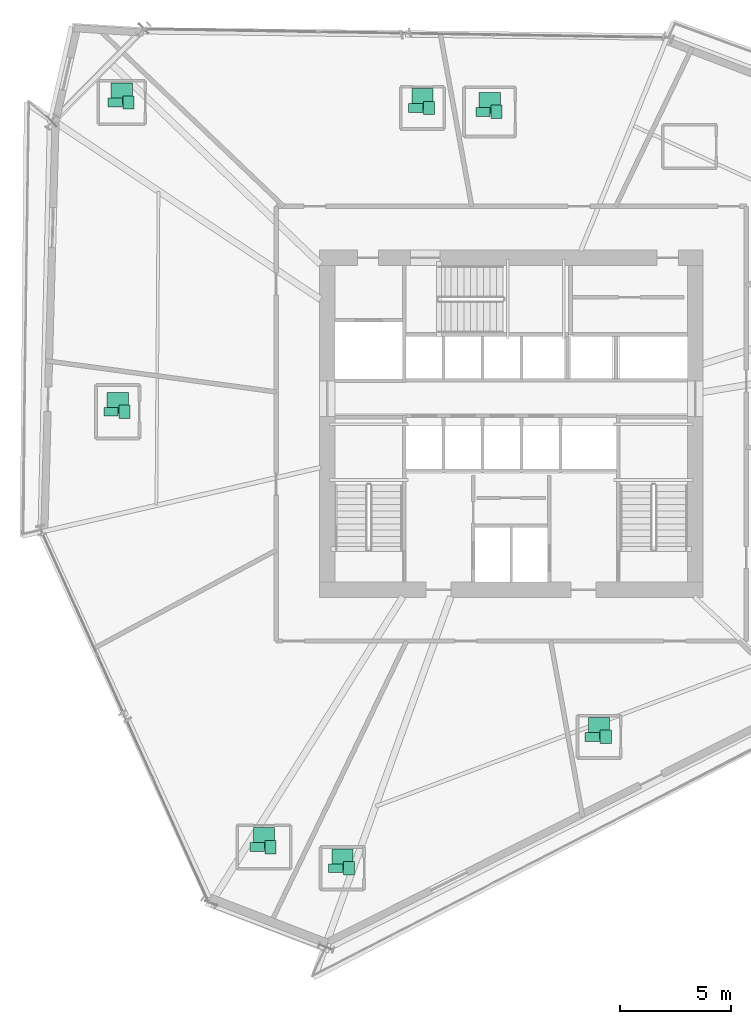
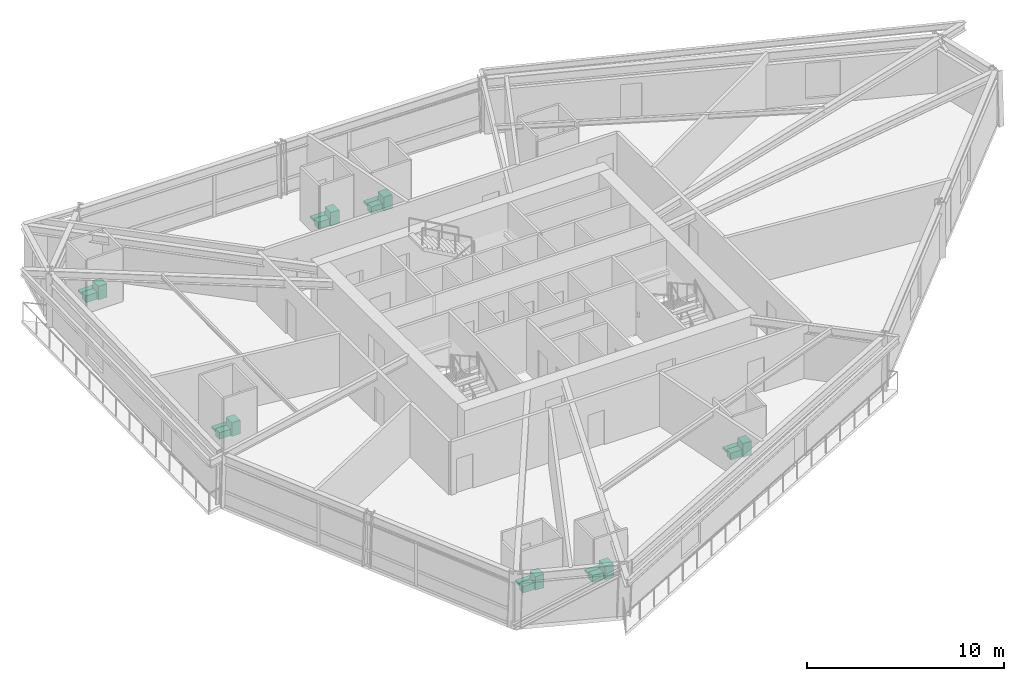
# One storey, part 22 of 22: 21 sanitary terminals.
"""IFC4 building model written with IfcOpenShell, lengths in metres."""

from ifc_helpers import new_model, si_unit, direction, frame, origin, origin_2d, place, context, subcontext, project, spatial, rectangle, extrude, source, transform, mapped, material, type_object, element, save


model = new_model("IFC4")

# Units and contexts
model_context = context("Model", 3, precision=1e-05, world=origin(), true_north=direction((0.0, 1.0)))
body_context = subcontext(model_context, "Body", "Model", "MODEL_VIEW")
ifc_project = project(units=[si_unit("LENGTHUNIT", "METRE"), si_unit("AREAUNIT", "SQUARE_METRE"), si_unit("VOLUMEUNIT", "CUBIC_METRE"), si_unit("PLANEANGLEUNIT", "RADIAN"), si_unit("MASSUNIT", "GRAM", prefix="KILO")], contexts=[model_context])

# Site, building, storey
site_placement = place(None, origin())
site = spatial("IfcSite", under=ifc_project, at=site_placement, CompositionType="ELEMENT")
building_placement = place(site_placement, origin())
building = spatial("IfcBuilding", under=site, at=building_placement, Name="Olszyna Solenne Hotel", CompositionType="ELEMENT")
storey_placement = place(building_placement, frame((0.0, 0.0, 87.949951171875)))
storey = spatial("IfcBuildingStorey", under=building, at=storey_placement, Name="L22", CompositionType="ELEMENT", Elevation=87.949951171875)

# Sanitary terminals
ifc_material = material(Name="Porcelain ceramic")
sanitary_terminal_type_1 = type_object("IfcSanitaryTerminalType", Name="SAN-WC", PredefinedType="TOILETPAN", material=ifc_material)
shared_shape_1 = source(origin(), body_context, "Body", "SweptSolid", [
    extrude(rectangle(XDim=0.64990234375, YDim=0.39990234375, at=origin_2d()), origin(), (0.0, 0.0, 1.0), 0.419921875),
])
for number, where, z_axis, x_axis, name in (
    (1, (36.735107421875, 40.591064453125, 0.0), (0.0, 0.0, 1.0), (1.0, 0.0, 0.0), "Wall-hung WC pan WC-0005"),
    (2, (33.718994140625, 40.764892578125, 0.0), (0.0, 0.0, 1.0), (1.0, 0.0, 0.0), "Wall-hung WC pan WC-0006"),
    (3, (20.22802734375, 41.010009765625, 0.0), (0.0, 0.0, 1.0), (1.0, 0.0, 0.0), "Wall-hung WC pan WC-0007"),
    (4, (20.0458984375, 27.135009765625, 0.0), (0.0, 0.0, 1.0), (1.0, 0.0, 0.0), "Wall-hung WC pan WC-0008"),
    (5, (26.60595703125, 7.60498046875, 0.0), (0.0, 0.0, 1.0), (1.0, 0.0, 0.0), "Wall-hung WC pan WC-0009"),
    (6, (30.1259765625, 6.654052734375, 0.0), (0.0, 0.0, 1.0), (1.0, 0.0, 0.0), "Wall-hung WC pan WC-0010"),
    (7, (41.64404296875, 12.548095703125, 0.0), (0.0, 0.0, 1.0), (1.0, 0.0, 0.0), "Wall-hung WC pan WC-0011"),
):
    element("IfcSanitaryTerminal", number, at=place(storey_placement, frame(where, z_axis=z_axis, x_axis=x_axis)), inside=storey, type_object=sanitary_terminal_type_1, Name=name, PredefinedType="TOILETPAN", context=body_context, shape_type="MappedRepresentation", body=[
        mapped(shared_shape_1, transform((0.0, 0.0, 0.0), x_axis=(1.0, 0.0, 0.0), y_axis=(0.0, 1.0, 0.0), z_axis=(0.0, 0.0, 1.0), scale=1.0)),
    ])
sanitary_terminal_type_2 = type_object("IfcSanitaryTerminalType", Name="SAN-BS", PredefinedType="WASHHANDBASIN", material=ifc_material)
shared_shape_2 = source(origin(), body_context, "Body", "SweptSolid", [
    extrude(rectangle(XDim=0.5, YDim=0.60009765625, at=origin_2d()), origin(), (0.0, 0.0, 1.0), 0.85009765625),
])
for number, where, z_axis, x_axis, name in (
    (8, (37.3349609375, 40.591064453125, 0.0), (0.0, 0.0, 1.0), (1.0, 0.0, 0.0), "Vanity washbasin BS-0005"),
    (9, (34.319091796875, 40.764892578125, 0.0), (0.0, 0.0, 1.0), (1.0, 0.0, 0.0), "Vanity washbasin BS-0006"),
    (10, (20.827880859375, 41.010009765625, 0.0), (0.0, 0.0, 1.0), (1.0, 0.0, 0.0), "Vanity washbasin BS-0007"),
    (11, (20.64599609375, 27.135009765625, 0.0), (0.0, 0.0, 1.0), (1.0, 0.0, 0.0), "Vanity washbasin BS-0008"),
    (12, (27.2060546875, 7.60498046875, 0.0), (0.0, 0.0, 1.0), (1.0, 0.0, 0.0), "Vanity washbasin BS-0009"),
    (13, (30.72607421875, 6.654052734375, 0.0), (0.0, 0.0, 1.0), (1.0, 0.0, 0.0), "Vanity washbasin BS-0010"),
    (14, (42.243896484375, 12.548095703125, 0.0), (0.0, 0.0, 1.0), (1.0, 0.0, 0.0), "Vanity washbasin BS-0011"),
):
    element("IfcSanitaryTerminal", number, at=place(storey_placement, frame(where, z_axis=z_axis, x_axis=x_axis)), inside=storey, type_object=sanitary_terminal_type_2, Name=name, PredefinedType="WASHHANDBASIN", context=body_context, shape_type="MappedRepresentation", body=[
        mapped(shared_shape_2, transform((0.0, 0.0, 0.0), x_axis=(1.0, 0.0, 0.0), y_axis=(0.0, 1.0, 0.0), z_axis=(0.0, 0.0, 1.0), scale=1.0)),
    ])
sanitary_terminal_type_3 = type_object("IfcSanitaryTerminalType", Name="SAN-SH", PredefinedType="SHOWER", material=ifc_material)
shared_shape_3 = source(origin(), body_context, "Body", "SweptSolid", [
    extrude(rectangle(XDim=0.949951171875, YDim=0.949951171875, at=origin_2d()), origin(), (0.0, 0.0, 1.0), 0.1201171875),
])
for number, where, z_axis, x_axis, name in (
    (15, (37.034912109375, 40.990966796875, 0.0), (0.0, 0.0, 1.0), (1.0, 0.0, 0.0), "Walk-in shower tray SH-0005"),
    (16, (34.01904296875, 41.1650390625, 0.0), (0.0, 0.0, 1.0), (1.0, 0.0, 0.0), "Walk-in shower tray SH-0006"),
    (17, (20.528076171875, 41.409912109375, 0.0), (0.0, 0.0, 1.0), (1.0, 0.0, 0.0), "Walk-in shower tray SH-0007"),
    (18, (20.345947265625, 27.534912109375, 0.0), (0.0, 0.0, 1.0), (1.0, 0.0, 0.0), "Walk-in shower tray SH-0008"),
    (19, (26.906005859375, 8.0048828125, 0.0), (0.0, 0.0, 1.0), (1.0, 0.0, 0.0), "Walk-in shower tray SH-0009"),
    (20, (30.426025390625, 7.053955078125, 0.0), (0.0, 0.0, 1.0), (1.0, 0.0, 0.0), "Walk-in shower tray SH-0010"),
    (21, (41.944091796875, 12.947998046875, 0.0), (0.0, 0.0, 1.0), (1.0, 0.0, 0.0), "Walk-in shower tray SH-0011"),
):
    element("IfcSanitaryTerminal", number, at=place(storey_placement, frame(where, z_axis=z_axis, x_axis=x_axis)), inside=storey, type_object=sanitary_terminal_type_3, Name=name, PredefinedType="SHOWER", context=body_context, shape_type="MappedRepresentation", body=[
        mapped(shared_shape_3, transform((0.0, 0.0, 0.0), x_axis=(1.0, 0.0, 0.0), y_axis=(0.0, 1.0, 0.0), z_axis=(0.0, 0.0, 1.0), scale=1.0)),
    ])

save(model, "model.ifc")
